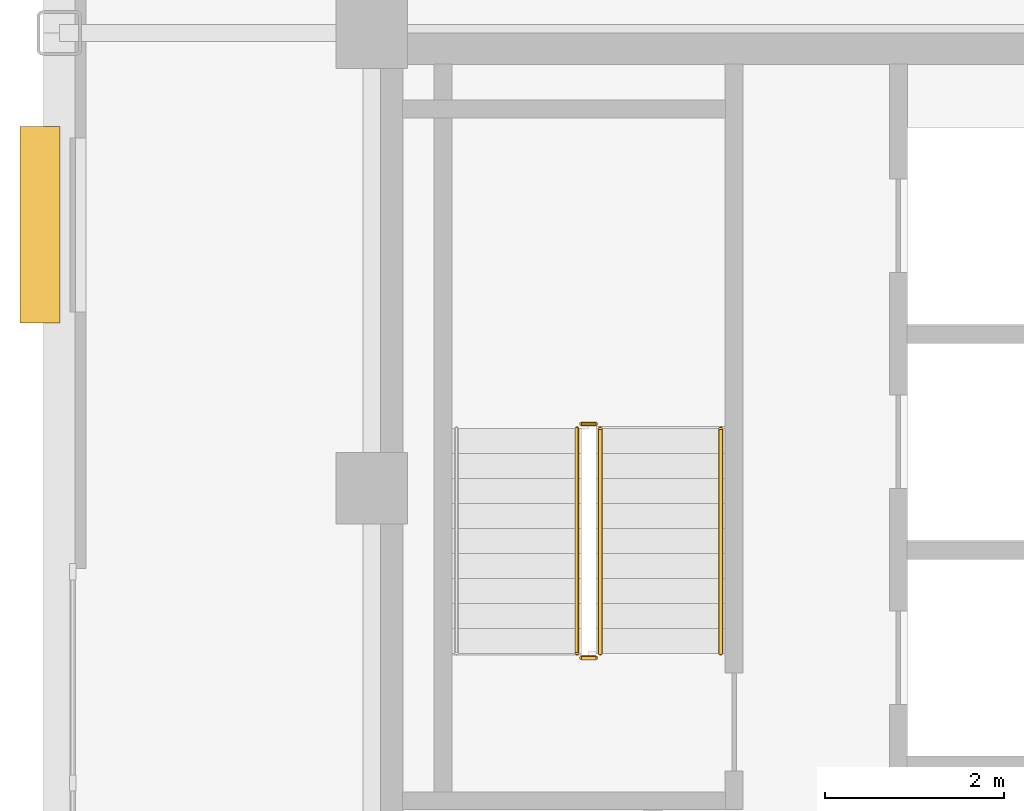
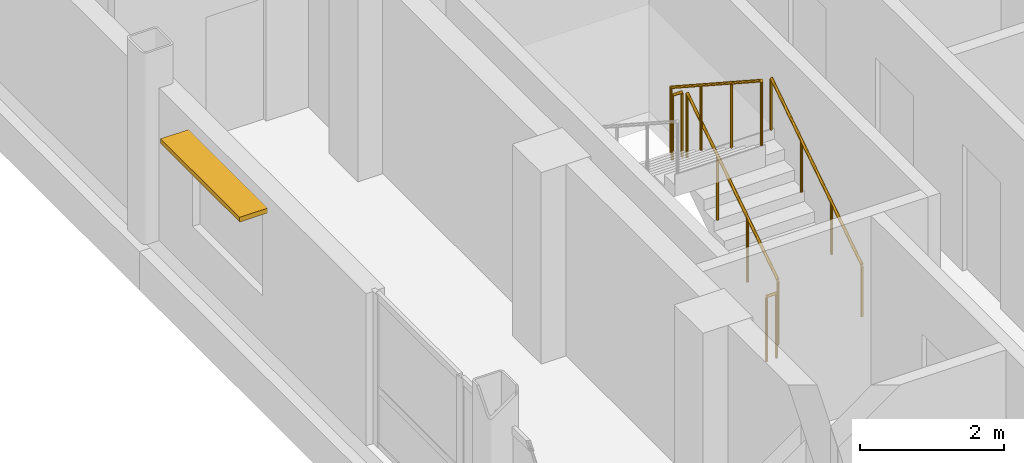
# One storey, part 13 of 16: 5 railings, 1 shading device.
"""IFC4 building model written with IfcOpenShell, lengths in metres."""

from ifc_helpers import new_model, si_unit, direction, frame, origin, origin_2d, place, context, subcontext, project, spatial, rectangle, circle, extrude, source, transform, mapped, material, type_object, type_shapes, element, save


model = new_model("IFC4")

# Units and contexts
model_context = context("Model", 3, precision=1e-05, world=origin(), true_north=direction((0.0, 1.0)))
body_context = subcontext(model_context, "Body", "Model", "MODEL_VIEW")
ifc_project = project(units=[si_unit("LENGTHUNIT", "METRE"), si_unit("AREAUNIT", "SQUARE_METRE"), si_unit("VOLUMEUNIT", "CUBIC_METRE"), si_unit("PLANEANGLEUNIT", "RADIAN"), si_unit("MASSUNIT", "GRAM", prefix="KILO")], contexts=[model_context])

# Site, building, storey
site_placement = place(None, origin())
site = spatial("IfcSite", under=ifc_project, at=site_placement, CompositionType="ELEMENT")
building_placement = place(site_placement, origin())
building = spatial("IfcBuilding", under=site, at=building_placement, Name="Nuvemarco Arch Tower", CompositionType="ELEMENT")
storey_placement = place(building_placement, frame((0.0, 0.0, 249.300048828125)))
storey = spatial("IfcBuildingStorey", under=building, at=storey_placement, Name="L66", CompositionType="ELEMENT", Elevation=249.300048828125)

# Railings
ifc_material_1 = material(Name="Brushed stainless steel handrail", Category="steel")
railing_type_1 = type_object("IfcRailingType", Name="RL-HANDRAIL-900", PredefinedType="HANDRAIL", material=ifc_material_1)
railing_1_placement = place(storey_placement, frame((-13.590087890625, 2.64990234375, 0.182373046875)))
element("IfcRailing", 1, at=railing_1_placement, inside=storey, type_object=railing_type_1, Name="L66 ST-1 stair handrail 1", PredefinedType="HANDRAIL", context=body_context, shape_type="SweptSolid", body=[
    extrude(circle(Radius=0.02392578125, at=origin_2d()), frame((0.0, 0.0, 0.8759765625), z_axis=(0.0, 0.837749427056, 0.546054848405), x_axis=(-1.0, 0.0, 0.0)), (0.0, 0.0, 1.0), 3.008056640625),
    extrude(circle(Radius=0.02099609375, at=origin_2d()), origin(), (0.0, 0.0, 1.0), 0.851806640625),
    extrude(circle(Radius=0.02099609375, at=origin_2d()), frame((0.0, 0.840087890625, 0.547607421875)), (0.0, 0.0, 1.0), 0.851806640625),
    extrude(circle(Radius=0.02099609375, at=origin_2d()), frame((0.0, 1.679931640625, 1.094970703125)), (0.0, 0.0, 1.0), 0.851806640625),
    extrude(circle(Radius=0.02099609375, at=origin_2d()), frame((0.0, 2.52001953125, 1.642578125)), (0.0, 0.0, 1.0), 0.851806640625),
])
ifc_material_2 = material(Name="Painted balustrade steel S355", Category="steel")
railing_type_2 = type_object("IfcRailingType", Name="RL-STAIR-GUARD", PredefinedType="GUARDRAIL", material=ifc_material_2)
railing_2_placement = place(storey_placement, frame((-14.93994140625, 2.64990234375, 0.182373046875)))
element("IfcRailing", 2, at=railing_2_placement, inside=storey, type_object=railing_type_2, Name="L66 ST-1 stair guard 1", PredefinedType="GUARDRAIL", context=body_context, shape_type="SweptSolid", body=[
    extrude(circle(Radius=0.02392578125, at=origin_2d()), frame((0.0, 0.0, 1.09619140625), z_axis=(0.0, 0.837749427056, 0.546054848405), x_axis=(-1.0, 0.0, 0.0)), (0.0, 0.0, 1.0), 3.008056640625),
    extrude(circle(Radius=0.02099609375, at=origin_2d()), origin(), (0.0, 0.0, 1.0), 1.072021484375),
    extrude(circle(Radius=0.02099609375, at=origin_2d()), frame((0.0, 0.840087890625, 0.547607421875)), (0.0, 0.0, 1.0), 1.072021484375),
    extrude(circle(Radius=0.02099609375, at=origin_2d()), frame((0.0, 1.679931640625, 1.094970703125)), (0.0, 0.0, 1.0), 1.072021484375),
    extrude(circle(Radius=0.02099609375, at=origin_2d()), frame((0.0, 2.52001953125, 1.642578125)), (0.0, 0.0, 1.0), 1.072021484375),
])
railing_3_placement = place(storey_placement, frame((-14.989990234375, 5.219970703125, 1.824951171875)))
element("IfcRailing", 3, at=railing_3_placement, inside=storey, type_object=railing_type_2, Name="L66 ST-1 stair guard 2", PredefinedType="GUARDRAIL", context=body_context, shape_type="SweptSolid", body=[
    extrude(circle(Radius=0.02392578125, at=origin_2d()), frame((0.0, 0.0, 1.09619140625), z_axis=(-1.0, 0.0, 0.0), x_axis=(0.0, -1.0, 0.0)), (0.0, 0.0, 1.0), 0.159912109375),
    extrude(circle(Radius=0.02099609375, at=origin_2d()), origin(), (0.0, 0.0, 1.0), 1.072021484375),
    extrude(circle(Radius=0.02099609375, at=origin_2d()), frame((-0.159912109375, 0.0, 0.0)), (0.0, 0.0, 1.0), 1.072021484375),
])
railing_4_placement = place(storey_placement, frame((-15.199951171875, 5.169921875, 2.007568359375)))
element("IfcRailing", 4, at=railing_4_placement, inside=storey, type_object=railing_type_2, Name="L66 ST-1 stair guard 3", PredefinedType="GUARDRAIL", context=body_context, shape_type="SweptSolid", body=[
    extrude(circle(Radius=0.02392578125, at=origin_2d()), frame((0.0, 0.0, 1.09619140625), z_axis=(0.0, -0.837786554691, 0.545997883492), x_axis=(1.0, 0.0, 0.0)), (0.0, 0.0, 1.0), 3.008056640625),
    extrude(circle(Radius=0.02099609375, at=origin_2d()), origin(), (0.0, 0.0, 1.0), 1.072021484375),
    extrude(circle(Radius=0.02099609375, at=origin_2d()), frame((0.0, -0.840087890625, 0.54736328125)), (0.0, 0.0, 1.0), 1.072021484375),
    extrude(circle(Radius=0.02099609375, at=origin_2d()), frame((0.0, -1.679931640625, 1.094970703125)), (0.0, 0.0, 1.0), 1.072021484375),
    extrude(circle(Radius=0.02099609375, at=origin_2d()), frame((0.0, -2.52001953125, 1.642333984375)), (0.0, 0.0, 1.0), 1.072021484375),
])
railing_5_placement = place(storey_placement, frame((-14.989990234375, 2.60009765625, 0.0)))
element("IfcRailing", 5, at=railing_5_placement, inside=storey, type_object=railing_type_2, Name="L66 ST-1 stair guard 4", PredefinedType="GUARDRAIL", context=body_context, shape_type="SweptSolid", body=[
    extrude(circle(Radius=0.02392578125, at=origin_2d()), frame((0.0, 0.0, 1.09619140625), z_axis=(-1.0, 0.0, 0.0), x_axis=(0.0, -1.0, 0.0)), (0.0, 0.0, 1.0), 0.159912109375),
    extrude(circle(Radius=0.02099609375, at=origin_2d()), origin(), (0.0, 0.0, 1.0), 1.072021484375),
    extrude(circle(Radius=0.02099609375, at=origin_2d()), frame((-0.159912109375, 0.0, 0.0)), (0.0, 0.0, 1.0), 1.072021484375),
])

# Shading device
ifc_material_3 = material(Name="Anodised aluminium 6063-T6", Category="aluminium")
shading_device_type = type_object("IfcShadingDeviceType", Name="SHD-BRISE-SOLEIL", PredefinedType="USERDEFINED", material=ifc_material_3)
shared_shape = source(origin(), body_context, "Body", "SweptSolid", [
    extrude(rectangle(XDim=2.199951171875, YDim=0.449951171875, at=origin_2d()), origin(), (0.0, 0.0, 1.0), 0.080078125),
])
type_shapes(shading_device_type, [shared_shape])
shading_device_placement = place(storey_placement, frame((-21.215087890625, 7.450927734375, 2.284912109375), z_axis=(0.0, 0.0, 1.0), x_axis=(0.0, 1.0, 0.0)))
element("IfcShadingDevice", 6, at=shading_device_placement, inside=storey, type_object=shading_device_type, Name="L66 horizontal brise-soleil sunshade", ObjectType="SUNSHADE", PredefinedType="USERDEFINED", context=body_context, shape_type="MappedRepresentation", body=[
    mapped(shared_shape, transform((0.0, 0.0, 0.0), scale=1.0)),
])

save(model, "model.ifc")
